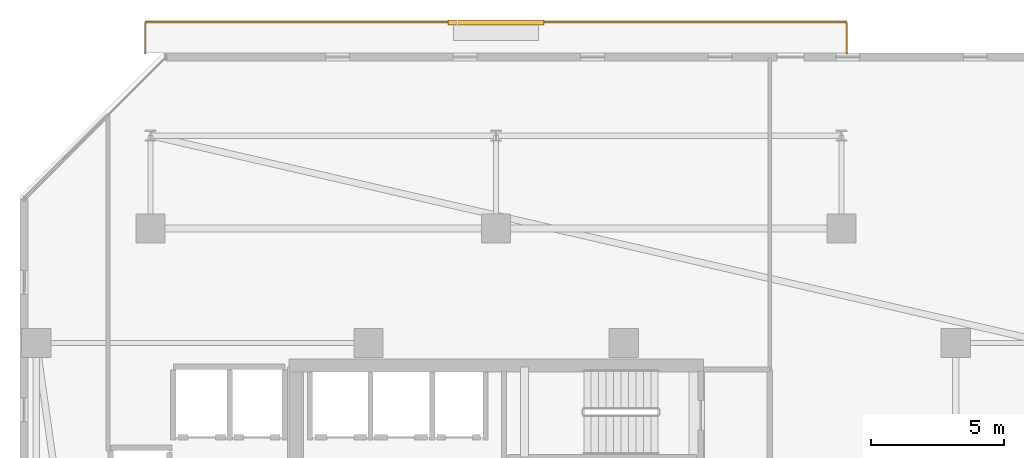
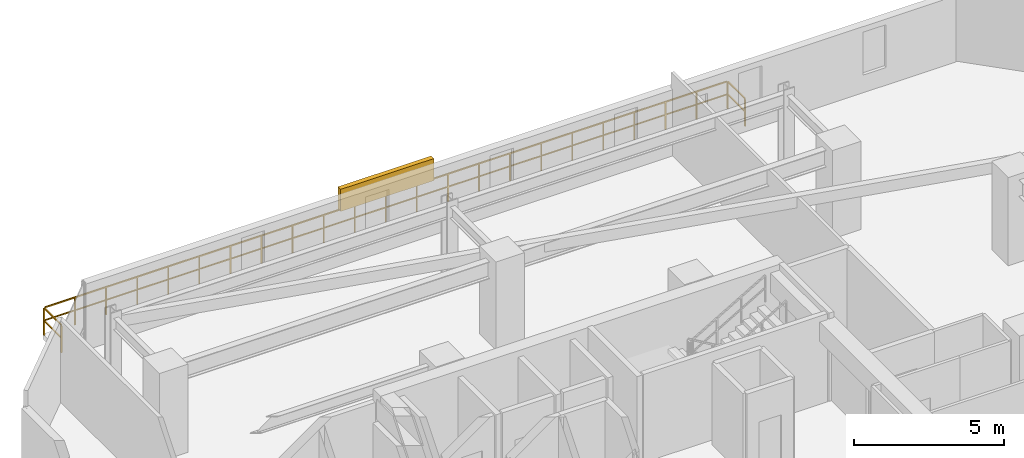
# One storey, part 31 of 33: 1 railing, 1 shading device.
"""IFC4 building model written with IfcOpenShell, lengths in metres."""

import ifcopenshell
import ifcopenshell.guid

model = None  # the IFC model being written
_history = None  # IfcOwnerHistory: only IFC2X3 demands one
_inside = {}  # id of a spatial element -> (the spatial element, [elements in it])
_under = {}  # id of a project, library or spatial element -> (it, [spatial elements below it])
_declared = {}  # id of a project -> (the project, [libraries it declares])
_typed = {}  # id of a type object -> (the type object, [elements of that type])
_made_of = {}  # id of a material, layer set ... -> (it, [elements and type objects made of it])


def new_model(schema):
    """Start an empty IFC model of exactly this schema.

    Asked for "IFC4X3", IfcOpenShell would pick the latest addendum, in which some entities
    have other attributes; the version numbers below select the first issue.
    IFC2X3 requires an IfcOwnerHistory on every rooted entity: one is made here for all.
    """
    global model, _history
    if schema == "IFC4X3":
        model = ifcopenshell.file(schema_version=(4, 3, 0, 0))
    else:
        model = ifcopenshell.file(schema=schema)
    _inside.clear()
    _under.clear()
    _declared.clear()
    _typed.clear()
    _made_of.clear()
    _history = None
    if model.schema == "IFC2X3":
        org = make("IfcOrganization", Name="unknown")
        user = make(
            "IfcPersonAndOrganization",
            ThePerson=make("IfcPerson", FamilyName="unknown"),
            TheOrganization=org,
        )
        app = make(
            "IfcApplication",
            ApplicationDeveloper=org,
            Version="unknown",
            ApplicationFullName="unknown",
            ApplicationIdentifier="unknown",
        )
        _history = make(
            "IfcOwnerHistory",
            OwningUser=user,
            OwningApplication=app,
            ChangeAction="ADDED",
            CreationDate=0,
        )
    return model


def make(cls, **values):
    """One entity of the class cls with the attributes given. An attribute that is None is left unset."""
    return model.create_entity(
        cls, **{name: value for name, value in values.items() if value is not None}
    )


def rooted(cls, **values):
    """An entity with a GlobalId (a new one), such as an element, a storey or a relation."""
    return make(cls, GlobalId=ifcopenshell.guid.new(), OwnerHistory=_history, **values)


def si_unit(unit_type, name, prefix=None):
    """IfcSIUnit, for example si_unit("LENGTHUNIT", "METRE", prefix="MILLI")."""
    return make("IfcSIUnit", UnitType=unit_type, Prefix=prefix, Name=name)


def assignment(units):
    """IfcUnitAssignment: the units of a project."""
    return None if units is None else make("IfcUnitAssignment", Units=units)


def point(xyz):
    """IfcCartesianPoint."""
    return None if xyz is None else make("IfcCartesianPoint", Coordinates=xyz)


def direction(xyz):
    """IfcDirection."""
    return None if xyz is None else make("IfcDirection", DirectionRatios=xyz)


def frame(location, z_axis=None, x_axis=None):
    """IfcAxis2Placement3D, a coordinate frame: its origin and axes. An axis left out is left unset."""
    return make(
        "IfcAxis2Placement3D",
        Location=point(location),
        Axis=direction(z_axis),
        RefDirection=direction(x_axis),
    )


def frame_2d(location, x_axis=None):
    """IfcAxis2Placement2D, a coordinate frame in the plane: its origin and x axis."""
    return make(
        "IfcAxis2Placement2D", Location=point(location), RefDirection=direction(x_axis)
    )


def origin():
    """The frame at (0, 0, 0) with its axes left unset."""
    return frame((0.0, 0.0, 0.0))


def origin_2d():
    """The frame at (0, 0) in the plane with its x axis left unset."""
    return frame_2d((0.0, 0.0))


def place(relative_to, where):
    """IfcLocalPlacement: puts the frame where relative to a parent placement (None: the world)."""
    return make(
        "IfcLocalPlacement", PlacementRelTo=relative_to, RelativePlacement=where
    )


def context(
    kind, dimensions, precision=None, world=None, true_north=None, identifier=None
):
    """IfcGeometricRepresentationContext, for example the 3D "Model" context."""
    return make(
        "IfcGeometricRepresentationContext",
        ContextIdentifier=identifier,
        ContextType=kind,
        CoordinateSpaceDimension=dimensions,
        Precision=precision,
        WorldCoordinateSystem=world,
        TrueNorth=true_north,
    )


def subcontext(parent, identifier, kind, view, scale=None):
    """IfcGeometricRepresentationSubContext, for example "Body" below "Model"."""
    return make(
        "IfcGeometricRepresentationSubContext",
        ContextIdentifier=identifier,
        ContextType=kind,
        ParentContext=parent,
        TargetScale=scale,
        TargetView=view,
    )


def project(units=None, contexts=None):
    """IfcProject with its units and contexts."""
    return rooted(
        "IfcProject",
        Name="project",
        RepresentationContexts=contexts,
        UnitsInContext=assignment(units),
    )


def spatial(cls, under=None, at=None, **own):
    """A site, building, storey or space (cls), placed at a placement, below another one or the project."""
    s = rooted(cls, ObjectPlacement=at, **own)
    if under is not None:
        _under.setdefault(under.id(), (under, []))[1].append(s)
    return s


def profile(cls, at=None, kind="AREA", **sizes):
    """A parametric profile (cls). Its sizes go by their IFC names, for example OverallWidth=200.0."""
    return make(cls, ProfileType=kind, Position=at, **sizes)


def rectangle(**sizes):
    """IfcRectangleProfileDef."""
    return profile("IfcRectangleProfileDef", **sizes)


def extrude(swept, where, along, depth):
    """IfcExtrudedAreaSolid: the profile swept, set in the frame where, extruded along a direction by depth."""
    return make(
        "IfcExtrudedAreaSolid",
        SweptArea=swept,
        Position=where,
        ExtrudedDirection=direction(along),
        Depth=depth,
    )


def shape(context_of_items, identifier, shape_type, items):
    """IfcShapeRepresentation: the items that make up one representation, for example the "Body"."""
    return make(
        "IfcShapeRepresentation",
        ContextOfItems=context_of_items,
        RepresentationIdentifier=identifier,
        RepresentationType=shape_type,
        Items=items,
    )


def material(Name=None, Category=None):
    """IfcMaterial."""
    return make("IfcMaterial", Name=Name, Category=Category)


def made_of(thing, what):
    """Note that an element or type object is made of a material, layer set ...; save() writes the relation."""
    if what is not None:
        _made_of.setdefault(what.id(), (what, []))[1].append(thing)
    return thing


def type_object(cls, material=None, **own):
    """A type object (cls), such as IfcWallType, which elements share."""
    return made_of(rooted(cls, **own), material)


def element(
    cls,
    number,
    at=None,
    inside=None,
    cuts=None,
    type_object=None,
    material=None,
    context=None,
    identifier="Body",
    shape_type=None,
    held_by="IfcProductDefinitionShape",
    body=None,
    shapes=None,
    **own,
):
    """One element of the class cls, such as IfcWall. Its Tag is "e" and its number.

    at: its placement. inside: the storey or other place that contains it. cuts: it is an
    opening in that element (IfcRelVoidsElement). A single representation is given by context,
    identifier, shape_type and body (its items); several are given by shapes. held_by: the class
    of the entity that holds the representations. save() writes the other relations.
    """
    e = rooted(cls, Tag="e%d" % number, ObjectPlacement=at, **own)
    if body is not None:
        shapes = [shape(context, identifier, shape_type, body)]
    if shapes is not None:
        e.Representation = make(held_by, Representations=shapes)
    if inside is not None:
        _inside.setdefault(inside.id(), (inside, []))[1].append(e)
    if cuts is not None:
        rooted(
            "IfcRelVoidsElement", RelatingBuildingElement=cuts, RelatedOpeningElement=e
        )
    if type_object is not None:
        _typed.setdefault(type_object.id(), (type_object, []))[1].append(e)
    return made_of(e, material)


def aggregate(whole, parts):
    """IfcRelAggregates: a whole, such as a stair, and the parts it consists of."""
    return rooted("IfcRelAggregates", RelatingObject=whole, RelatedObjects=parts)


def save(model, path):
    """Write the relations noted so far, then the file.

    IfcRelAggregates (storeys below a building ...), IfcRelContainedInSpatialStructure (elements
    in a storey), IfcRelDefinesByType, IfcRelAssociatesMaterial and IfcRelDeclares: one each for
    every whole, place, type object, material and project.
    """
    for whole, parts in _under.values():
        aggregate(whole, parts)
    for where, things in _inside.values():
        rooted(
            "IfcRelContainedInSpatialStructure",
            RelatedElements=things,
            RelatingStructure=where,
        )
    for kind, things in _typed.values():
        rooted("IfcRelDefinesByType", RelatedObjects=things, RelatingType=kind)
    for what, things in _made_of.values():
        rooted("IfcRelAssociatesMaterial", RelatedObjects=things, RelatingMaterial=what)
    for by, libraries in _declared.values():
        rooted("IfcRelDeclares", RelatingContext=by, RelatedDefinitions=libraries)
    model.write(path)


model = new_model("IFC4")

# Units and contexts
model_context = context("Model", 3, precision=1e-05, world=origin(), true_north=direction((0.0, 1.0)))
body_context = subcontext(model_context, "Body", "Model", "MODEL_VIEW")
ifc_project = project(units=[si_unit("LENGTHUNIT", "METRE"), si_unit("AREAUNIT", "SQUARE_METRE"), si_unit("VOLUMEUNIT", "CUBIC_METRE"), si_unit("PLANEANGLEUNIT", "RADIAN"), si_unit("MASSUNIT", "GRAM", prefix="KILO")], contexts=[model_context])

# Site, building, storey
site_placement = place(None, origin())
site = spatial("IfcSite", under=ifc_project, at=site_placement, CompositionType="ELEMENT")
building_placement = place(site_placement, origin())
building = spatial("IfcBuilding", under=site, at=building_placement, Name="Thornwick Lancets Civic Towers", CompositionType="ELEMENT")
storey_placement = place(building_placement, frame((0.0, 0.0, 185.699951171875)))
storey = spatial("IfcBuildingStorey", under=building, at=storey_placement, Name="L49", CompositionType="ELEMENT", Elevation=185.699951171875)

# Railing
ifc_material_1 = material(Name="Terracotta-capped laminated glass balustrade S355", Category="masonry")
railing_type = type_object("IfcRailingType", Name="RAIL_TERR_GUARD", PredefinedType="GUARDRAIL", material=ifc_material_1)
railing_placement = place(storey_placement, frame((12.300048828125, 50.89990234375, 0.0)))
element("IfcRailing", 1, at=railing_placement, inside=storey, type_object=railing_type, Name="L49 Tower A Balcony Guard N", PredefinedType="GUARDRAIL", context=body_context, shape_type="SweptSolid", body=[
    extrude(rectangle(XDim=0.048095703125, YDim=0.048095703125, at=origin_2d()), frame((0.0, 0.0, 1.1259765625), z_axis=(0.0, 1.0, 0.0), x_axis=(-1.0, 0.0, 0.0)), (0.0, 0.0, 1.0), 1.138916015625),
    extrude(rectangle(XDim=0.0419921875, YDim=0.0419921875, at=origin_2d()), frame((0.0, 0.03759765625, 0.597900390625), z_axis=(0.0, 1.0, 0.0), x_axis=(-1.0, 0.0, 0.0)), (0.0, 0.0, 1.0), 1.09521484375),
    extrude(rectangle(XDim=0.048095703125, YDim=0.048095703125, at=origin_2d()), frame((0.03125, 1.170166015625, 1.1259765625), z_axis=(1.0, 0.0, 0.0), x_axis=(0.0, 1.0, 0.0)), (0.0, 0.0, 1.0), 26.33740234375),
    extrude(rectangle(XDim=0.0419921875, YDim=0.0419921875, at=origin_2d()), frame((0.03759765625, 1.170166015625, 0.597900390625), z_axis=(1.0, 0.0, 0.0), x_axis=(0.0, 1.0, 0.0)), (0.0, 0.0, 1.0), 1.125),
    extrude(rectangle(XDim=0.0419921875, YDim=0.0419921875, at=origin_2d()), frame((1.237548828125, 1.170166015625, 0.597900390625), z_axis=(1.0, 0.0, 0.0), x_axis=(0.0, 1.0, 0.0)), (0.0, 0.0, 1.0), 1.125),
    extrude(rectangle(XDim=0.0419921875, YDim=0.0419921875, at=origin_2d()), frame((2.4375, 1.170166015625, 0.597900390625), z_axis=(1.0, 0.0, 0.0), x_axis=(0.0, 1.0, 0.0)), (0.0, 0.0, 1.0), 1.125),
    extrude(rectangle(XDim=0.0419921875, YDim=0.0419921875, at=origin_2d()), frame((3.637451171875, 1.170166015625, 0.597900390625), z_axis=(1.0, 0.0, 0.0), x_axis=(0.0, 1.0, 0.0)), (0.0, 0.0, 1.0), 1.125),
    extrude(rectangle(XDim=0.0419921875, YDim=0.0419921875, at=origin_2d()), frame((4.83740234375, 1.170166015625, 0.597900390625), z_axis=(1.0, 0.0, 0.0), x_axis=(0.0, 1.0, 0.0)), (0.0, 0.0, 1.0), 1.125),
    extrude(rectangle(XDim=0.0419921875, YDim=0.0419921875, at=origin_2d()), frame((6.037353515625, 1.170166015625, 0.597900390625), z_axis=(1.0, 0.0, 0.0), x_axis=(0.0, 1.0, 0.0)), (0.0, 0.0, 1.0), 1.125),
    extrude(rectangle(XDim=0.0419921875, YDim=0.0419921875, at=origin_2d()), frame((7.237548828125, 1.170166015625, 0.597900390625), z_axis=(1.0, 0.0, 0.0), x_axis=(0.0, 1.0, 0.0)), (0.0, 0.0, 1.0), 1.125),
    extrude(rectangle(XDim=0.0419921875, YDim=0.0419921875, at=origin_2d()), frame((8.4375, 1.170166015625, 0.597900390625), z_axis=(1.0, 0.0, 0.0), x_axis=(0.0, 1.0, 0.0)), (0.0, 0.0, 1.0), 1.125),
    extrude(rectangle(XDim=0.0419921875, YDim=0.0419921875, at=origin_2d()), frame((9.637451171875, 1.170166015625, 0.597900390625), z_axis=(1.0, 0.0, 0.0), x_axis=(0.0, 1.0, 0.0)), (0.0, 0.0, 1.0), 1.125),
    extrude(rectangle(XDim=0.0419921875, YDim=0.0419921875, at=origin_2d()), frame((10.83740234375, 1.170166015625, 0.597900390625), z_axis=(1.0, 0.0, 0.0), x_axis=(0.0, 1.0, 0.0)), (0.0, 0.0, 1.0), 1.125),
    extrude(rectangle(XDim=0.0419921875, YDim=0.0419921875, at=origin_2d()), frame((12.037353515625, 1.170166015625, 0.597900390625), z_axis=(1.0, 0.0, 0.0), x_axis=(0.0, 1.0, 0.0)), (0.0, 0.0, 1.0), 1.125),
    extrude(rectangle(XDim=0.0419921875, YDim=0.0419921875, at=origin_2d()), frame((13.237548828125, 1.170166015625, 0.597900390625), z_axis=(1.0, 0.0, 0.0), x_axis=(0.0, 1.0, 0.0)), (0.0, 0.0, 1.0), 1.125),
    extrude(rectangle(XDim=0.0419921875, YDim=0.0419921875, at=origin_2d()), frame((14.4375, 1.170166015625, 0.597900390625), z_axis=(1.0, 0.0, 0.0), x_axis=(0.0, 1.0, 0.0)), (0.0, 0.0, 1.0), 1.125),
    extrude(rectangle(XDim=0.0419921875, YDim=0.0419921875, at=origin_2d()), frame((15.637451171875, 1.170166015625, 0.597900390625), z_axis=(1.0, 0.0, 0.0), x_axis=(0.0, 1.0, 0.0)), (0.0, 0.0, 1.0), 1.125),
    extrude(rectangle(XDim=0.0419921875, YDim=0.0419921875, at=origin_2d()), frame((16.83740234375, 1.170166015625, 0.597900390625), z_axis=(1.0, 0.0, 0.0), x_axis=(0.0, 1.0, 0.0)), (0.0, 0.0, 1.0), 1.125),
    extrude(rectangle(XDim=0.0419921875, YDim=0.0419921875, at=origin_2d()), frame((18.037353515625, 1.170166015625, 0.597900390625), z_axis=(1.0, 0.0, 0.0), x_axis=(0.0, 1.0, 0.0)), (0.0, 0.0, 1.0), 1.125),
    extrude(rectangle(XDim=0.0419921875, YDim=0.0419921875, at=origin_2d()), frame((19.2373046875, 1.170166015625, 0.597900390625), z_axis=(1.0, 0.0, 0.0), x_axis=(0.0, 1.0, 0.0)), (0.0, 0.0, 1.0), 1.125),
    extrude(rectangle(XDim=0.0419921875, YDim=0.0419921875, at=origin_2d()), frame((20.4375, 1.170166015625, 0.597900390625), z_axis=(1.0, 0.0, 0.0), x_axis=(0.0, 1.0, 0.0)), (0.0, 0.0, 1.0), 1.125),
    extrude(rectangle(XDim=0.0419921875, YDim=0.0419921875, at=origin_2d()), frame((21.637451171875, 1.170166015625, 0.597900390625), z_axis=(1.0, 0.0, 0.0), x_axis=(0.0, 1.0, 0.0)), (0.0, 0.0, 1.0), 1.125),
    extrude(rectangle(XDim=0.0419921875, YDim=0.0419921875, at=origin_2d()), frame((22.83740234375, 1.170166015625, 0.597900390625), z_axis=(1.0, 0.0, 0.0), x_axis=(0.0, 1.0, 0.0)), (0.0, 0.0, 1.0), 1.125),
    extrude(rectangle(XDim=0.0419921875, YDim=0.0419921875, at=origin_2d()), frame((24.037353515625, 1.170166015625, 0.597900390625), z_axis=(1.0, 0.0, 0.0), x_axis=(0.0, 1.0, 0.0)), (0.0, 0.0, 1.0), 1.125),
    extrude(rectangle(XDim=0.0419921875, YDim=0.0419921875, at=origin_2d()), frame((25.2373046875, 1.170166015625, 0.597900390625), z_axis=(1.0, 0.0, 0.0), x_axis=(0.0, 1.0, 0.0)), (0.0, 0.0, 1.0), 1.125),
    extrude(rectangle(XDim=0.048095703125, YDim=0.048095703125, at=origin_2d()), frame((26.39990234375, 1.138916015625, 1.1259765625), z_axis=(0.0, -1.0, 0.0), x_axis=(1.0, 0.0, 0.0)), (0.0, 0.0, 1.0), 1.138916015625),
    extrude(rectangle(XDim=0.0419921875, YDim=0.0419921875, at=origin_2d()), frame((26.39990234375, 1.132568359375, 0.597900390625), z_axis=(0.0, -1.0, 0.0), x_axis=(1.0, 0.0, 0.0)), (0.0, 0.0, 1.0), 1.09521484375),
    extrude(rectangle(XDim=0.0419921875, YDim=0.0419921875, at=origin_2d()), origin(), (0.0, 0.0, 1.0), 1.095703125),
    extrude(rectangle(XDim=0.0419921875, YDim=0.0419921875, at=origin_2d()), frame((0.0, 1.170166015625, 0.0)), (0.0, 0.0, 1.0), 1.095703125),
    extrude(rectangle(XDim=0.0419921875, YDim=0.0419921875, at=origin_2d()), frame((1.199951171875, 1.170166015625, 0.0)), (0.0, 0.0, 1.0), 1.095703125),
    extrude(rectangle(XDim=0.0419921875, YDim=0.0419921875, at=origin_2d()), frame((2.39990234375, 1.170166015625, 0.0)), (0.0, 0.0, 1.0), 1.095703125),
    extrude(rectangle(XDim=0.0419921875, YDim=0.0419921875, at=origin_2d()), frame((3.60009765625, 1.170166015625, 0.0)), (0.0, 0.0, 1.0), 1.095703125),
    extrude(rectangle(XDim=0.0419921875, YDim=0.0419921875, at=origin_2d()), frame((4.800048828125, 1.170166015625, 0.0)), (0.0, 0.0, 1.0), 1.095703125),
    extrude(rectangle(XDim=0.0419921875, YDim=0.0419921875, at=origin_2d()), frame((6.0, 1.170166015625, 0.0)), (0.0, 0.0, 1.0), 1.095703125),
    extrude(rectangle(XDim=0.0419921875, YDim=0.0419921875, at=origin_2d()), frame((7.199951171875, 1.170166015625, 0.0)), (0.0, 0.0, 1.0), 1.095703125),
    extrude(rectangle(XDim=0.0419921875, YDim=0.0419921875, at=origin_2d()), frame((8.39990234375, 1.170166015625, 0.0)), (0.0, 0.0, 1.0), 1.095703125),
    extrude(rectangle(XDim=0.0419921875, YDim=0.0419921875, at=origin_2d()), frame((9.599853515625, 1.170166015625, 0.0)), (0.0, 0.0, 1.0), 1.095703125),
    extrude(rectangle(XDim=0.0419921875, YDim=0.0419921875, at=origin_2d()), frame((10.800048828125, 1.170166015625, 0.0)), (0.0, 0.0, 1.0), 1.095703125),
    extrude(rectangle(XDim=0.0419921875, YDim=0.0419921875, at=origin_2d()), frame((12.0, 1.170166015625, 0.0)), (0.0, 0.0, 1.0), 1.095703125),
    extrude(rectangle(XDim=0.0419921875, YDim=0.0419921875, at=origin_2d()), frame((13.199951171875, 1.170166015625, 0.0)), (0.0, 0.0, 1.0), 1.095703125),
    extrude(rectangle(XDim=0.0419921875, YDim=0.0419921875, at=origin_2d()), frame((14.39990234375, 1.170166015625, 0.0)), (0.0, 0.0, 1.0), 1.095703125),
    extrude(rectangle(XDim=0.0419921875, YDim=0.0419921875, at=origin_2d()), frame((15.599853515625, 1.170166015625, 0.0)), (0.0, 0.0, 1.0), 1.095703125),
    extrude(rectangle(XDim=0.0419921875, YDim=0.0419921875, at=origin_2d()), frame((16.800048828125, 1.170166015625, 0.0)), (0.0, 0.0, 1.0), 1.095703125),
    extrude(rectangle(XDim=0.0419921875, YDim=0.0419921875, at=origin_2d()), frame((18.0, 1.170166015625, 0.0)), (0.0, 0.0, 1.0), 1.095703125),
    extrude(rectangle(XDim=0.0419921875, YDim=0.0419921875, at=origin_2d()), frame((19.199951171875, 1.170166015625, 0.0)), (0.0, 0.0, 1.0), 1.095703125),
    extrude(rectangle(XDim=0.0419921875, YDim=0.0419921875, at=origin_2d()), frame((20.39990234375, 1.170166015625, 0.0)), (0.0, 0.0, 1.0), 1.095703125),
    extrude(rectangle(XDim=0.0419921875, YDim=0.0419921875, at=origin_2d()), frame((21.599853515625, 1.170166015625, 0.0)), (0.0, 0.0, 1.0), 1.095703125),
    extrude(rectangle(XDim=0.0419921875, YDim=0.0419921875, at=origin_2d()), frame((22.7998046875, 1.170166015625, 0.0)), (0.0, 0.0, 1.0), 1.095703125),
    extrude(rectangle(XDim=0.0419921875, YDim=0.0419921875, at=origin_2d()), frame((24.0, 1.170166015625, 0.0)), (0.0, 0.0, 1.0), 1.095703125),
    extrude(rectangle(XDim=0.0419921875, YDim=0.0419921875, at=origin_2d()), frame((25.199951171875, 1.170166015625, 0.0)), (0.0, 0.0, 1.0), 1.095703125),
    extrude(rectangle(XDim=0.0419921875, YDim=0.0419921875, at=origin_2d()), frame((26.39990234375, 1.170166015625, 0.0)), (0.0, 0.0, 1.0), 1.095703125),
    extrude(rectangle(XDim=0.0419921875, YDim=0.0419921875, at=origin_2d()), frame((26.39990234375, 0.0, 0.0)), (0.0, 0.0, 1.0), 1.095703125),
])

# Shading device
ifc_material_2 = material(Name="Extruded terracotta baguette solar screen", Category="masonry")
shading_device_type = type_object("IfcShadingDeviceType", Name="SHADE_BAGUETTE", PredefinedType="JALOUSIE", material=ifc_material_2)
shading_device_placement = place(storey_placement, frame((25.5, 52.06005859375, 1.1201171875), z_axis=(0.0, 0.0, 1.0), x_axis=(1.0, 0.0, 0.0)))
element("IfcShadingDevice", 2, at=shading_device_placement, inside=storey, type_object=shading_device_type, Name="L49 Tower A Terracotta Baguette Screen N", PredefinedType="JALOUSIE", context=body_context, shape_type="SweptSolid", body=[
    extrude(rectangle(XDim=3.60009765625, YDim=0.179931640625, at=origin_2d()), origin(), (0.0, 0.0, 1.0), 0.89990234375),
])

save(model, "model.ifc")
